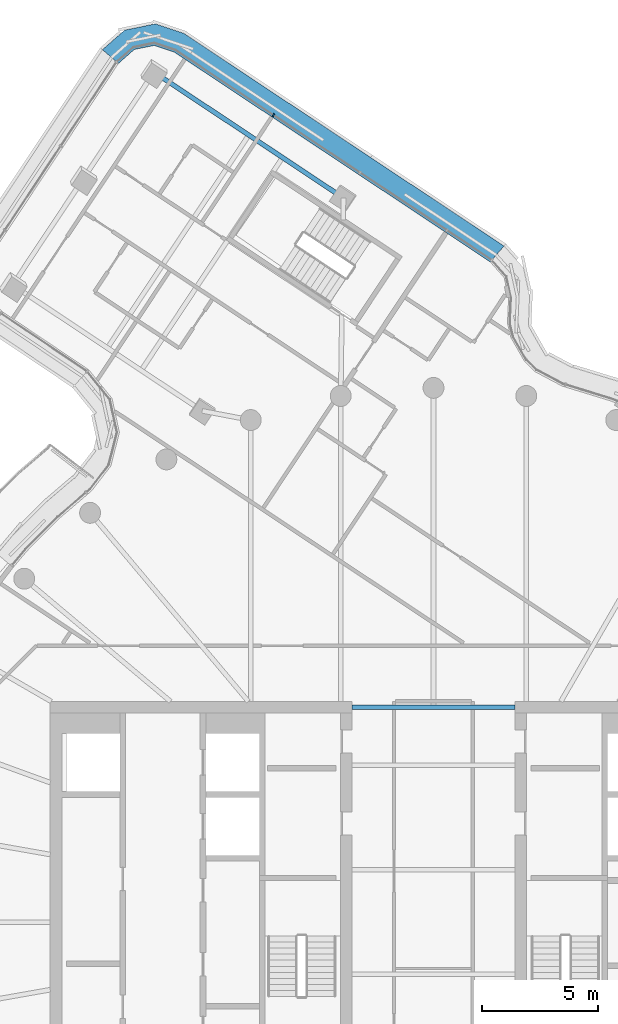
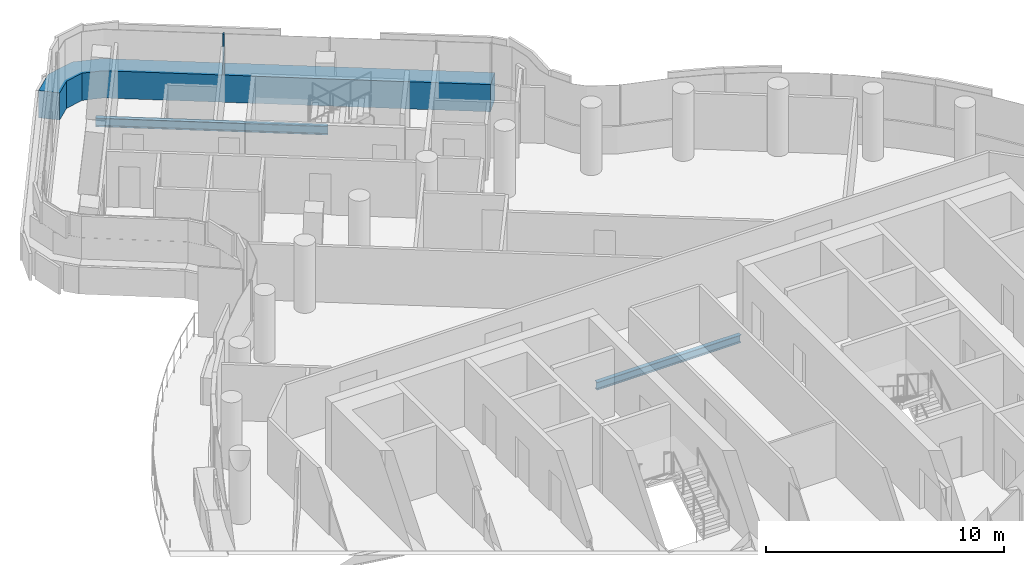
# One storey, part 10 of 27: 2 beams, 2 members, 1 element without a shape of its own.
"""IFC4 building model written with IfcOpenShell, lengths in metres."""

from ifc_helpers import new_model, si_unit, direction, frame, origin, origin_2d, place, context, subcontext, project, spatial, polyline, rectangle, i_section, outline, extrude, material, layer, layer_set, material_profile, profile_set, type_object, element, aggregate, save


model = new_model("IFC4")

# Units and contexts
model_context = context("Model", 3, precision=1e-05, world=origin(), true_north=direction((0.0, 1.0)))
body_context = subcontext(model_context, "Body", "Model", "MODEL_VIEW")
ifc_project = project(units=[si_unit("LENGTHUNIT", "METRE"), si_unit("AREAUNIT", "SQUARE_METRE"), si_unit("VOLUMEUNIT", "CUBIC_METRE"), si_unit("PLANEANGLEUNIT", "RADIAN"), si_unit("MASSUNIT", "GRAM", prefix="KILO")], contexts=[model_context])

# Site, building, storey
site_placement = place(None, origin())
site = spatial("IfcSite", under=ifc_project, at=site_placement, CompositionType="ELEMENT")
building_placement = place(site_placement, origin())
building = spatial("IfcBuilding", under=site, at=building_placement, Name="Tamarind Cross Interchange Tower", CompositionType="ELEMENT")
storey_placement = place(building_placement, frame((0.0, 0.0, 237.89990234375)))
storey = spatial("IfcBuildingStorey", under=building, at=storey_placement, Name="L60", CompositionType="ELEMENT", Elevation=237.89990234375)

# Beams
ifc_material_1 = material(Name="Steel Q355B", Category="steel")
ifc_material_profile_1 = material_profile(ifc_material_1, i_section(OverallWidth=0.199951171875, OverallDepth=0.39990234375, WebThickness=0.008056640625, FlangeThickness=0.012939453125, FilletRadius=0.01611328125, at=origin_2d()), Name="HN 400x200x8x13")
ifc_profile_set_1 = profile_set([ifc_material_profile_1], Name="Steel Q355B")
beam_type_1 = type_object("IfcBeamType", Name="Composite beam HN 400x200x8x13 Q355B", PredefinedType="BEAM", material=ifc_profile_set_1)
beam_1_placement = place(storey_placement, frame((-3.5, 9.25, -0.33984375), z_axis=(1.0, 0.0, 0.0), x_axis=(0.0, 1.0, 0.0)))
element("IfcBeam", 1, at=beam_1_placement, inside=storey, type_object=beam_type_1, Name="Beam G9.25", PredefinedType="BEAM", context=body_context, shape_type="SweptSolid", body=[
    extrude(i_section(OverallWidth=0.199951171875, OverallDepth=0.39990234375, WebThickness=0.008056640625, FlangeThickness=0.012939453125, FilletRadius=0.01611328125, at=origin_2d()), origin(), (0.0, 0.0, 1.0), 7.0),
])
ifc_material_profile_2 = material_profile(ifc_material_1, i_section(OverallWidth=0.198974609375, OverallDepth=0.446044921875, WebThickness=0.008056640625, FlangeThickness=0.011962890625, FilletRadius=0.012939453125, at=origin_2d()), Name="HN 446x199x8x12")
ifc_profile_set_2 = profile_set([ifc_material_profile_2], Name="Steel Q355B")
beam_type_2 = type_object("IfcBeamType", Name="Composite beam HN 446x199x8x12 Q355B", PredefinedType="BEAM", material=ifc_profile_set_2)
beam_2_placement = place(storey_placement, frame((-12.031005859375, 36.58935546875, -0.36279296875), z_axis=(0.833107372719, -0.553111295782, 0.0), x_axis=(0.553111295782, 0.833107372719, 0.0)))
element("IfcBeam", 2, at=beam_2_placement, inside=storey, type_object=beam_type_2, Name="Beam N-edgeem4", PredefinedType="BEAM", context=body_context, shape_type="SweptSolid", body=[
    extrude(i_section(OverallWidth=0.198974609375, OverallDepth=0.446044921875, WebThickness=0.008056640625, FlangeThickness=0.011962890625, FilletRadius=0.012939453125, at=origin_2d()), origin(), (0.0, 0.0, 1.0), 9.792724609375),
])

# Curtain wall, members
ifc_material_2 = material(Name="Aluminium 6063-T6", Category="aluminium")
ifc_layer = layer(ifc_material_2, 0.139892578125)
ifc_layer_set = layer_set([ifc_layer], Name="Aluminium 6063-T6")
curtain_wall_type = type_object("IfcCurtainWallType", Name="Hotel curtain wall, 4.5 m bays", PredefinedType="NOTDEFINED", material=ifc_layer_set)
curtain_wall_placement = place(storey_placement, origin())
curtain_wall = element("IfcCurtainWall", 3, at=curtain_wall_placement, inside=storey, type_object=curtain_wall_type, Name="CWS-L60-03", PredefinedType="NOTDEFINED")
ifc_material_3 = material(Name="Aluminium and insulated spandrel panel", Category="aluminium")
member_type_1 = type_object("IfcMemberType", Name="Floor-edge blade transom", PredefinedType="USERDEFINED", material=ifc_material_3)
member_1_placement = place(storey_placement, origin())
member_1 = element("IfcMember", 4, at=member_1_placement, type_object=member_type_1, Name="CWT-L60-03", ObjectType="TRANSOM", PredefinedType="USERDEFINED", context=body_context, shape_type="SweptSolid", body=[
    extrude(outline(polyline([(2.443359375, 28.420166015625), (-11.1552734375, 37.4482421875), (-12.02294921875, 37.739990234375), (-12.880126953125, 37.56689453125), (-13.566650390625, 36.961181640625), (-14.250732421875, 37.557861328125), (-13.294677734375, 38.4013671875), (-11.96484375, 38.669921875), (-10.756103515625, 38.263671875), (3.037841796875, 29.10546875), (2.443359375, 28.420166015625)])), origin(), (0.0, 0.0, 1.0), 1.400146484375),
])
ifc_material_profile_3 = material_profile(ifc_material_2, rectangle(XDim=0.06005859375, YDim=0.139892578125, at=origin_2d()), Name="Mullion CW2")
ifc_profile_set_3 = profile_set([ifc_material_profile_3], Name="Aluminium 6063-T6")
member_type_2 = type_object("IfcMemberType", Name="Mullion CW2", PredefinedType="MULLION", material=ifc_profile_set_3)
member_2_placement = place(storey_placement, frame((-6.89404296875, 34.7392578125, 1.400146484375), z_axis=(0.0, 0.0, 1.0), x_axis=(-0.833106637229, 0.55311240359, 0.0)))
member_2 = element("IfcMember", 5, at=member_2_placement, type_object=member_type_2, Name="CWM-L60-03-03", PredefinedType="MULLION", context=body_context, shape_type="SweptSolid", body=[
    extrude(rectangle(XDim=0.06005859375, YDim=0.139892578125, at=origin_2d()), origin(), (0.0, 0.0, 1.0), 2.06005859375),
])
aggregate(curtain_wall, [member_2, member_1])

save(model, "model.ifc")
